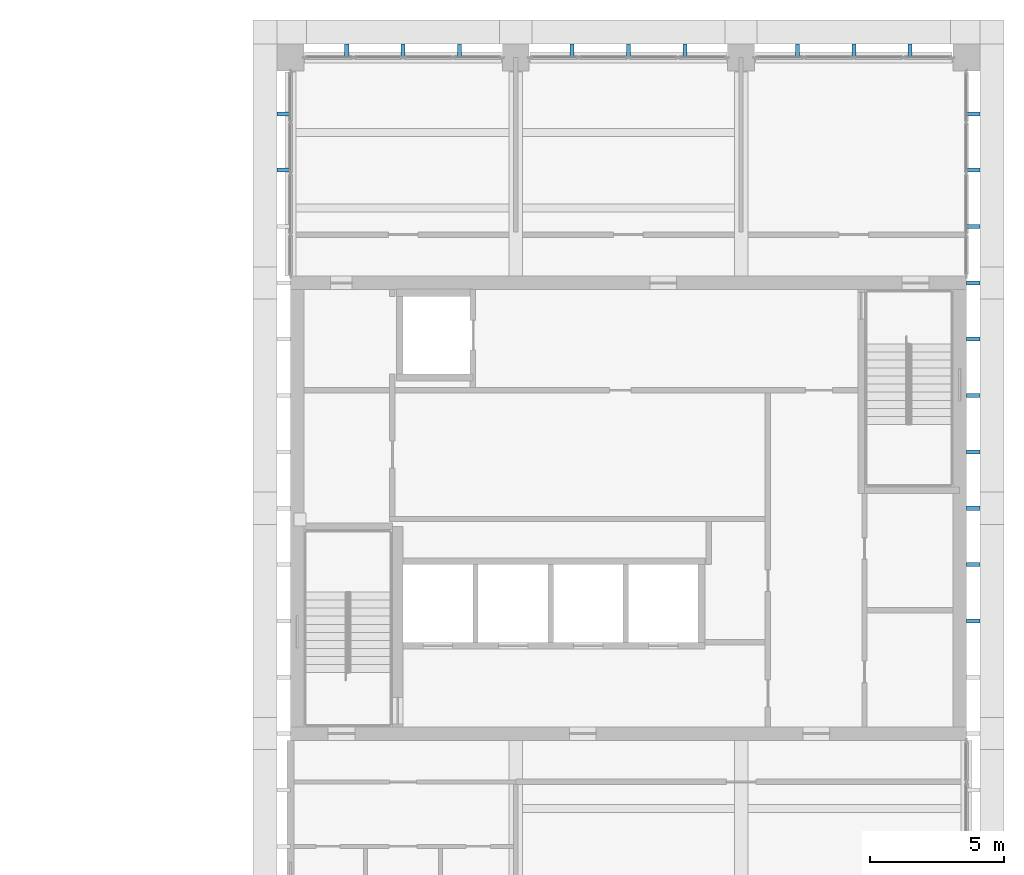
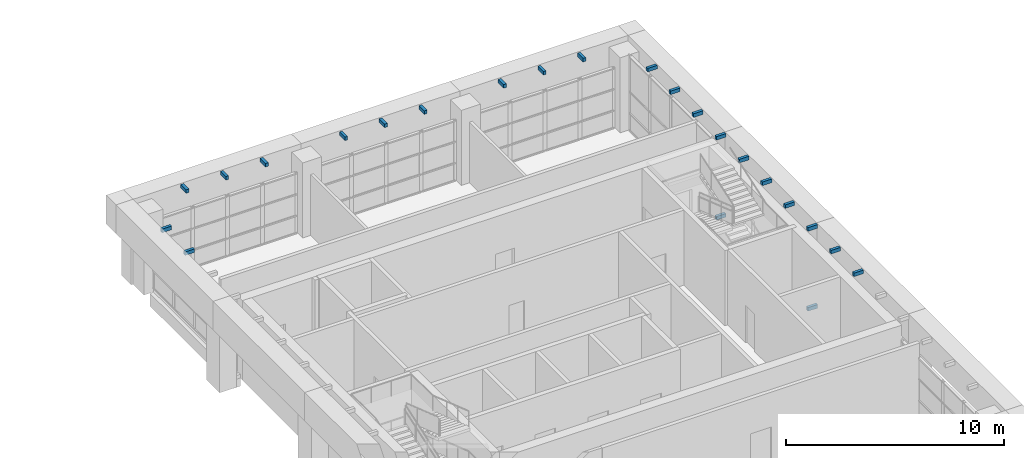
# One storey, part 33 of 56: 23 discrete accessories.
"""IFC4 building model written with IfcOpenShell, lengths in metres."""

import ifcopenshell
import ifcopenshell.guid

model = None  # the IFC model being written
_history = None  # IfcOwnerHistory: only IFC2X3 demands one
_inside = {}  # id of a spatial element -> (the spatial element, [elements in it])
_under = {}  # id of a project, library or spatial element -> (it, [spatial elements below it])
_declared = {}  # id of a project -> (the project, [libraries it declares])
_typed = {}  # id of a type object -> (the type object, [elements of that type])
_made_of = {}  # id of a material, layer set ... -> (it, [elements and type objects made of it])


def new_model(schema):
    """Start an empty IFC model of exactly this schema.

    Asked for "IFC4X3", IfcOpenShell would pick the latest addendum, in which some entities
    have other attributes; the version numbers below select the first issue.
    IFC2X3 requires an IfcOwnerHistory on every rooted entity: one is made here for all.
    """
    global model, _history
    if schema == "IFC4X3":
        model = ifcopenshell.file(schema_version=(4, 3, 0, 0))
    else:
        model = ifcopenshell.file(schema=schema)
    _inside.clear()
    _under.clear()
    _declared.clear()
    _typed.clear()
    _made_of.clear()
    _history = None
    if model.schema == "IFC2X3":
        org = make("IfcOrganization", Name="unknown")
        user = make(
            "IfcPersonAndOrganization",
            ThePerson=make("IfcPerson", FamilyName="unknown"),
            TheOrganization=org,
        )
        app = make(
            "IfcApplication",
            ApplicationDeveloper=org,
            Version="unknown",
            ApplicationFullName="unknown",
            ApplicationIdentifier="unknown",
        )
        _history = make(
            "IfcOwnerHistory",
            OwningUser=user,
            OwningApplication=app,
            ChangeAction="ADDED",
            CreationDate=0,
        )
    return model


def make(cls, **values):
    """One entity of the class cls with the attributes given. An attribute that is None is left unset."""
    return model.create_entity(
        cls, **{name: value for name, value in values.items() if value is not None}
    )


def rooted(cls, **values):
    """An entity with a GlobalId (a new one), such as an element, a storey or a relation."""
    return make(cls, GlobalId=ifcopenshell.guid.new(), OwnerHistory=_history, **values)


def si_unit(unit_type, name, prefix=None):
    """IfcSIUnit, for example si_unit("LENGTHUNIT", "METRE", prefix="MILLI")."""
    return make("IfcSIUnit", UnitType=unit_type, Prefix=prefix, Name=name)


def assignment(units):
    """IfcUnitAssignment: the units of a project."""
    return None if units is None else make("IfcUnitAssignment", Units=units)


def point(xyz):
    """IfcCartesianPoint."""
    return None if xyz is None else make("IfcCartesianPoint", Coordinates=xyz)


def direction(xyz):
    """IfcDirection."""
    return None if xyz is None else make("IfcDirection", DirectionRatios=xyz)


def frame(location, z_axis=None, x_axis=None):
    """IfcAxis2Placement3D, a coordinate frame: its origin and axes. An axis left out is left unset."""
    return make(
        "IfcAxis2Placement3D",
        Location=point(location),
        Axis=direction(z_axis),
        RefDirection=direction(x_axis),
    )


def frame_2d(location, x_axis=None):
    """IfcAxis2Placement2D, a coordinate frame in the plane: its origin and x axis."""
    return make(
        "IfcAxis2Placement2D", Location=point(location), RefDirection=direction(x_axis)
    )


def origin():
    """The frame at (0, 0, 0) with its axes left unset."""
    return frame((0.0, 0.0, 0.0))


def origin_2d():
    """The frame at (0, 0) in the plane with its x axis left unset."""
    return frame_2d((0.0, 0.0))


def place(relative_to, where):
    """IfcLocalPlacement: puts the frame where relative to a parent placement (None: the world)."""
    return make(
        "IfcLocalPlacement", PlacementRelTo=relative_to, RelativePlacement=where
    )


def context(
    kind, dimensions, precision=None, world=None, true_north=None, identifier=None
):
    """IfcGeometricRepresentationContext, for example the 3D "Model" context."""
    return make(
        "IfcGeometricRepresentationContext",
        ContextIdentifier=identifier,
        ContextType=kind,
        CoordinateSpaceDimension=dimensions,
        Precision=precision,
        WorldCoordinateSystem=world,
        TrueNorth=true_north,
    )


def subcontext(parent, identifier, kind, view, scale=None):
    """IfcGeometricRepresentationSubContext, for example "Body" below "Model"."""
    return make(
        "IfcGeometricRepresentationSubContext",
        ContextIdentifier=identifier,
        ContextType=kind,
        ParentContext=parent,
        TargetScale=scale,
        TargetView=view,
    )


def project(units=None, contexts=None):
    """IfcProject with its units and contexts."""
    return rooted(
        "IfcProject",
        Name="project",
        RepresentationContexts=contexts,
        UnitsInContext=assignment(units),
    )


def spatial(cls, under=None, at=None, **own):
    """A site, building, storey or space (cls), placed at a placement, below another one or the project."""
    s = rooted(cls, ObjectPlacement=at, **own)
    if under is not None:
        _under.setdefault(under.id(), (under, []))[1].append(s)
    return s


def profile(cls, at=None, kind="AREA", **sizes):
    """A parametric profile (cls). Its sizes go by their IFC names, for example OverallWidth=200.0."""
    return make(cls, ProfileType=kind, Position=at, **sizes)


def rectangle(**sizes):
    """IfcRectangleProfileDef."""
    return profile("IfcRectangleProfileDef", **sizes)


def extrude(swept, where, along, depth):
    """IfcExtrudedAreaSolid: the profile swept, set in the frame where, extruded along a direction by depth."""
    return make(
        "IfcExtrudedAreaSolid",
        SweptArea=swept,
        Position=where,
        ExtrudedDirection=direction(along),
        Depth=depth,
    )


def shape(context_of_items, identifier, shape_type, items):
    """IfcShapeRepresentation: the items that make up one representation, for example the "Body"."""
    return make(
        "IfcShapeRepresentation",
        ContextOfItems=context_of_items,
        RepresentationIdentifier=identifier,
        RepresentationType=shape_type,
        Items=items,
    )


def material(Name=None, Category=None):
    """IfcMaterial."""
    return make("IfcMaterial", Name=Name, Category=Category)


def made_of(thing, what):
    """Note that an element or type object is made of a material, layer set ...; save() writes the relation."""
    if what is not None:
        _made_of.setdefault(what.id(), (what, []))[1].append(thing)
    return thing


def type_object(cls, material=None, **own):
    """A type object (cls), such as IfcWallType, which elements share."""
    return made_of(rooted(cls, **own), material)


def element(
    cls,
    number,
    at=None,
    inside=None,
    cuts=None,
    type_object=None,
    material=None,
    context=None,
    identifier="Body",
    shape_type=None,
    held_by="IfcProductDefinitionShape",
    body=None,
    shapes=None,
    **own,
):
    """One element of the class cls, such as IfcWall. Its Tag is "e" and its number.

    at: its placement. inside: the storey or other place that contains it. cuts: it is an
    opening in that element (IfcRelVoidsElement). A single representation is given by context,
    identifier, shape_type and body (its items); several are given by shapes. held_by: the class
    of the entity that holds the representations. save() writes the other relations.
    """
    e = rooted(cls, Tag="e%d" % number, ObjectPlacement=at, **own)
    if body is not None:
        shapes = [shape(context, identifier, shape_type, body)]
    if shapes is not None:
        e.Representation = make(held_by, Representations=shapes)
    if inside is not None:
        _inside.setdefault(inside.id(), (inside, []))[1].append(e)
    if cuts is not None:
        rooted(
            "IfcRelVoidsElement", RelatingBuildingElement=cuts, RelatedOpeningElement=e
        )
    if type_object is not None:
        _typed.setdefault(type_object.id(), (type_object, []))[1].append(e)
    return made_of(e, material)


def aggregate(whole, parts):
    """IfcRelAggregates: a whole, such as a stair, and the parts it consists of."""
    return rooted("IfcRelAggregates", RelatingObject=whole, RelatedObjects=parts)


def save(model, path):
    """Write the relations noted so far, then the file.

    IfcRelAggregates (storeys below a building ...), IfcRelContainedInSpatialStructure (elements
    in a storey), IfcRelDefinesByType, IfcRelAssociatesMaterial and IfcRelDeclares: one each for
    every whole, place, type object, material and project.
    """
    for whole, parts in _under.values():
        aggregate(whole, parts)
    for where, things in _inside.values():
        rooted(
            "IfcRelContainedInSpatialStructure",
            RelatedElements=things,
            RelatingStructure=where,
        )
    for kind, things in _typed.values():
        rooted("IfcRelDefinesByType", RelatedObjects=things, RelatingType=kind)
    for what, things in _made_of.values():
        rooted("IfcRelAssociatesMaterial", RelatedObjects=things, RelatingMaterial=what)
    for by, libraries in _declared.values():
        rooted("IfcRelDeclares", RelatingContext=by, RelatedDefinitions=libraries)
    model.write(path)


model = new_model("IFC4")

# Units and contexts
model_context = context("Model", 3, precision=1e-05, world=origin(), true_north=direction((0.0, 1.0)))
body_context = subcontext(model_context, "Body", "Model", "MODEL_VIEW")
ifc_project = project(units=[si_unit("LENGTHUNIT", "METRE"), si_unit("AREAUNIT", "SQUARE_METRE"), si_unit("VOLUMEUNIT", "CUBIC_METRE"), si_unit("PLANEANGLEUNIT", "RADIAN"), si_unit("MASSUNIT", "GRAM", prefix="KILO")], contexts=[model_context])

# Site, building, storey
site_placement = place(None, origin())
site = spatial("IfcSite", under=ifc_project, at=site_placement, CompositionType="ELEMENT")
building_placement = place(site_placement, origin())
building = spatial("IfcBuilding", under=site, at=building_placement, Name="Rulbaag Community and Learning Centre", CompositionType="ELEMENT")
storey_placement = place(building_placement, frame((0.0, 0.0, 9.89990234375)))
storey = spatial("IfcBuildingStorey", under=building, at=storey_placement, Name="L02", CompositionType="ELEMENT", Elevation=9.89990234375)

# Discrete accessories
ifc_material = material(Name="Steel E350", Category="steel")
discrete_accessory_type = type_object("IfcDiscreteAccessoryType", Name="BR-DB", PredefinedType="BRACKET", material=ifc_material)
for number, where, z_axis, x_axis, name in (
    (1, (144.89990234375, 117.85009765625, 4.25), (0.0, 0.0, 1.0), (1.0, 0.0, 0.0), "Datum band bracket"),
    (2, (147.0, 117.85009765625, 4.25), (0.0, 0.0, 1.0), (1.0, 0.0, 0.0), "Datum band bracket"),
    (3, (149.10009765625, 117.85009765625, 4.25), (0.0, 0.0, 1.0), (1.0, 0.0, 0.0), "Datum band bracket"),
    (4, (153.300048828125, 117.85009765625, 4.25), (0.0, 0.0, 1.0), (1.0, 0.0, 0.0), "Datum band bracket"),
    (5, (155.39990234375, 117.85009765625, 4.25), (0.0, 0.0, 1.0), (1.0, 0.0, 0.0), "Datum band bracket"),
    (6, (157.5, 117.85009765625, 4.25), (0.0, 0.0, 1.0), (1.0, 0.0, 0.0), "Datum band bracket"),
    (7, (161.699951171875, 117.85009765625, 4.25), (0.0, 0.0, 1.0), (1.0, 0.0, 0.0), "Datum band bracket"),
    (8, (163.800048828125, 117.85009765625, 4.25), (0.0, 0.0, 1.0), (1.0, 0.0, 0.0), "Datum band bracket"),
    (9, (165.89990234375, 117.85009765625, 4.25), (0.0, 0.0, 1.0), (1.0, 0.0, 0.0), "Datum band bracket"),
):
    element("IfcDiscreteAccessory", number, at=place(storey_placement, frame(where, z_axis=z_axis, x_axis=x_axis)), inside=storey, type_object=discrete_accessory_type, Name=name, PredefinedType="BRACKET", context=body_context, shape_type="SweptSolid", body=[
        extrude(rectangle(XDim=0.14990234375, YDim=0.5, at=origin_2d()), origin(), (0.0, 0.0, 1.0), 0.199951171875),
    ])
for number, where, z_axis, x_axis, name in (
    (10, (142.550048828125, 113.39990234375, 4.25), (0.0, 0.0, 1.0), (1.0, 0.0, 0.0), "Datum band bracket"),
    (11, (142.550048828125, 115.5, 4.25), (0.0, 0.0, 1.0), (1.0, 0.0, 0.0), "Datum band bracket"),
    (12, (168.25, 96.60009765625, 4.25), (0.0, 0.0, 1.0), (1.0, 0.0, 0.0), "Datum band bracket"),
    (13, (168.25, 98.699951171875, 4.25), (0.0, 0.0, 1.0), (1.0, 0.0, 0.0), "Datum band bracket"),
    (14, (168.25, 100.800048828125, 4.25), (0.0, 0.0, 1.0), (1.0, 0.0, 0.0), "Datum band bracket"),
    (15, (168.25, 102.89990234375, 4.25), (0.0, 0.0, 1.0), (1.0, 0.0, 0.0), "Datum band bracket"),
    (16, (168.25, 105.0, 4.25), (0.0, 0.0, 1.0), (1.0, 0.0, 0.0), "Datum band bracket"),
    (17, (168.25, 107.10009765625, 4.25), (0.0, 0.0, 1.0), (1.0, 0.0, 0.0), "Datum band bracket"),
    (18, (168.25, 109.199951171875, 4.25), (0.0, 0.0, 1.0), (1.0, 0.0, 0.0), "Datum band bracket"),
    (19, (168.25, 111.300048828125, 4.25), (0.0, 0.0, 1.0), (1.0, 0.0, 0.0), "Datum band bracket"),
    (20, (168.25, 113.39990234375, 4.25), (0.0, 0.0, 1.0), (1.0, 0.0, 0.0), "Datum band bracket"),
    (21, (168.25, 115.5, 4.25), (0.0, 0.0, 1.0), (1.0, 0.0, 0.0), "Datum band bracket"),
    (22, (168.25, 100.800048828125, -0.22509765625), (0.0, 0.0, 1.0), (1.0, 0.0, 0.0), "Pier bracket"),
    (23, (168.25, 109.199951171875, -0.22509765625), (0.0, 0.0, 1.0), (1.0, 0.0, 0.0), "Pier bracket"),
):
    element("IfcDiscreteAccessory", number, at=place(storey_placement, frame(where, z_axis=z_axis, x_axis=x_axis)), inside=storey, type_object=discrete_accessory_type, Name=name, PredefinedType="BRACKET", context=body_context, shape_type="SweptSolid", body=[
        extrude(rectangle(XDim=0.5, YDim=0.14990234375, at=origin_2d()), origin(), (0.0, 0.0, 1.0), 0.199951171875),
    ])

save(model, "model.ifc")
